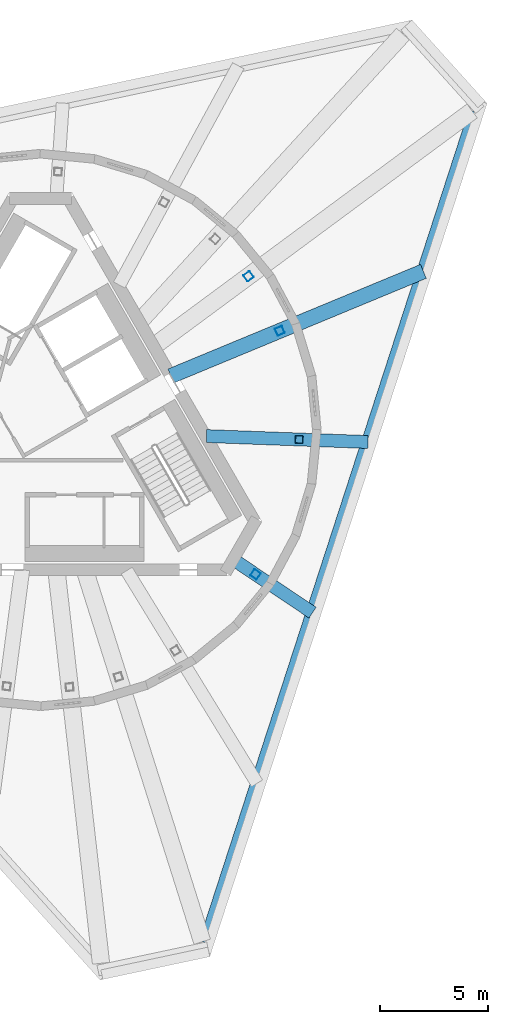
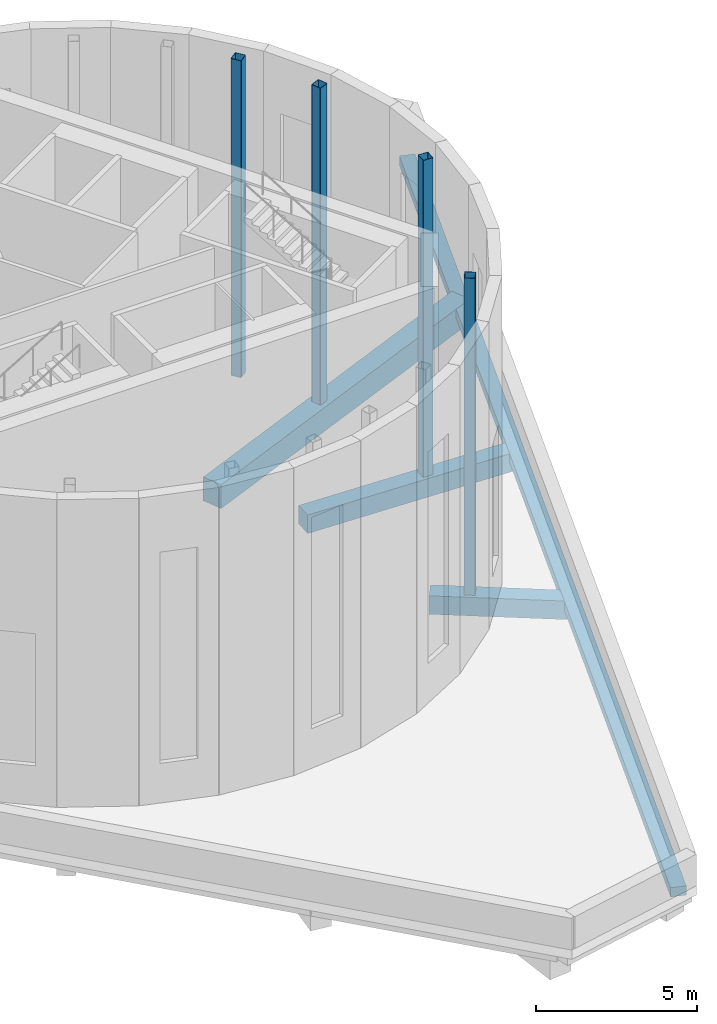
# One storey, part 3 of 9: 4 beams, 4 members.
"""IFC4 building model written with IfcOpenShell, lengths in metres."""

from ifc_helpers import new_model, si_unit, direction, frame, origin, origin_2d, place, context, subcontext, project, spatial, rectangle, hollow_rectangle, extrude, material, material_profile, profile_set, type_object, element, save


model = new_model("IFC4")

# Units and contexts
model_context = context("Model", 3, precision=1e-05, world=origin(), true_north=direction((0.0, 1.0)))
body_context = subcontext(model_context, "Body", "Model", "MODEL_VIEW")
ifc_project = project(units=[si_unit("LENGTHUNIT", "METRE"), si_unit("AREAUNIT", "SQUARE_METRE"), si_unit("VOLUMEUNIT", "CUBIC_METRE"), si_unit("PLANEANGLEUNIT", "RADIAN"), si_unit("MASSUNIT", "GRAM", prefix="KILO")], contexts=[model_context])

# Site, building, storey
site_placement = place(None, origin())
site = spatial("IfcSite", under=ifc_project, at=site_placement, CompositionType="ELEMENT")
building_placement = place(site_placement, origin())
building = spatial("IfcBuilding", under=site, at=building_placement, Name="Tramontana Tower", CompositionType="ELEMENT")
storey_placement = place(building_placement, frame((0.0, 0.0, 380.89990234375)))
storey = spatial("IfcBuildingStorey", under=building, at=storey_placement, Name="Crown", CompositionType="ELEMENT", Elevation=380.89990234375)

# Members
ifc_material_1 = material(Name="Steel ASTM A500 Grade C", Category="steel")
ifc_material_profile_1 = material_profile(ifc_material_1, hollow_rectangle(XDim=0.355712890625, YDim=0.355712890625, WallThickness=0.01171875, InnerFilletRadius=0.01171875, OuterFilletRadius=0.023681640625, at=origin_2d()), Name="HSS14X14X1/2")
ifc_profile_set_1 = profile_set([ifc_material_profile_1], Name="Steel ASTM A500 Grade C")
member_type = type_object("IfcMemberType", Name="Drum HSS14X14X1/2 post", PredefinedType="POST", material=ifc_profile_set_1)
for number, where, z_axis, x_axis, name in (
    (1, (9.959716796875, -6.69091796875, -0.349853515625), (0.0, 0.0, 1.0), (0.83008286049, -0.557640067356, 0.0), "Drum post 08"),
    (2, (11.978271484375, -0.440673828125, -0.349853515625), (0.0, 0.0, 1.0), (0.999323748555, -0.036770172341, 0.0), "Drum post 09"),
    (3, (11.086181640625, 4.5927734375, -0.349853515625), (0.0, 0.0, 1.0), (0.923861530097, 0.382726891147, 0.0), "Drum post 10"),
    (4, (9.638671875, 7.1240234375, -0.349853515625), (0.0, 0.0, 1.0), (0.804183798955, 0.594380700812, 0.0), "Drum post 11"),
):
    element("IfcMember", number, at=place(storey_placement, frame(where, z_axis=z_axis, x_axis=x_axis)), inside=storey, type_object=member_type, Name=name, PredefinedType="POST", context=body_context, shape_type="SweptSolid", body=[
        extrude(hollow_rectangle(XDim=0.355712890625, YDim=0.355712890625, WallThickness=0.01171875, InnerFilletRadius=0.01171875, OuterFilletRadius=0.023681640625, at=origin_2d()), origin(), (0.0, 0.0, 1.0), 12.0),
    ])

# Beams
ifc_material_2 = material(Name="Concrete 40 MPa", Category="concrete")
ifc_material_profile_2 = material_profile(ifc_material_2, rectangle(XDim=0.5, YDim=0.35009765625, at=origin_2d()), Name="RC EDGE BEAM 500X350 40 MPa")
ifc_profile_set_2 = profile_set([ifc_material_profile_2], Name="Concrete 40 MPa")
beam_type_1 = type_object("IfcBeamType", Name="RC EDGE BEAM 500X350 40 MPa", PredefinedType="SPANDREL", material=ifc_profile_set_2)
beam_1_placement = place(storey_placement, frame((7.5849609375, -23.740478515625, -0.52490234375), z_axis=(0.309021003975, 0.951055213488, 0.0), x_axis=(-0.951055213488, 0.309021003975, 0.0)))
element("IfcBeam", 5, at=beam_1_placement, inside=storey, type_object=beam_type_1, Name="Spandrel beam S1 Crown", PredefinedType="SPANDREL", context=body_context, shape_type="SweptSolid", body=[
    extrude(rectangle(XDim=0.5, YDim=0.35009765625, at=origin_2d()), origin(), (0.0, 0.0, 1.0), 40.46923828125),
])
ifc_material_3 = material(Name="Concrete 40 MPa", Category="concrete")
ifc_material_profile_3 = material_profile(ifc_material_3, rectangle(XDim=0.60009765625, YDim=0.699951171875, at=origin_2d()), Name="RC GIRDER 600X700 40 MPa")
ifc_profile_set_3 = profile_set([ifc_material_profile_3], Name="Concrete 40 MPa")
beam_type_2 = type_object("IfcBeamType", Name="RC GIRDER 600X700 40 MPa", PredefinedType="BEAM", material=ifc_profile_set_3)
beam_2_placement = place(storey_placement, frame((12.600830078125, -8.465087890625, -0.699951171875), z_axis=(-0.830077902204, 0.557647448011, 0.0), x_axis=(-0.557647448011, -0.830077902204, 0.0)))
element("IfcBeam", 6, at=beam_2_placement, inside=storey, type_object=beam_type_2, Name="Radial girder C8F06 Crown", PredefinedType="BEAM", context=body_context, shape_type="SweptSolid", body=[
    extrude(rectangle(XDim=0.60009765625, YDim=0.699951171875, at=origin_2d()), origin(), (0.0, 0.0, 1.0), 4.4296875),
])
beam_3_placement = place(storey_placement, frame((15.169921875, -0.55810546875, -0.699951171875), z_axis=(-0.999324360611, 0.036753534393, 0.0), x_axis=(-0.036753534393, -0.999324360611, 0.0)))
element("IfcBeam", 7, at=beam_3_placement, inside=storey, type_object=beam_type_2, Name="Radial girder C8F07 Crown", PredefinedType="BEAM", context=body_context, shape_type="SweptSolid", body=[
    extrude(rectangle(XDim=0.60009765625, YDim=0.699951171875, at=origin_2d()), origin(), (0.0, 0.0, 1.0), 7.486328125),
])
ifc_material_4 = material(Name="Concrete 40 MPa", Category="concrete")
ifc_material_profile_4 = material_profile(ifc_material_4, rectangle(XDim=0.699951171875, YDim=0.89990234375, at=origin_2d()), Name="RC GIRDER 700X900 40 MPa")
ifc_profile_set_4 = profile_set([ifc_material_profile_4], Name="Concrete 40 MPa")
beam_type_3 = type_object("IfcBeamType", Name="RC GIRDER 700X900 40 MPa", PredefinedType="BEAM", material=ifc_profile_set_4)
beam_4_placement = place(storey_placement, frame((17.739013671875, 7.348876953125, -0.7998046875), z_axis=(-0.923857326556, -0.382737037885, 0.0), x_axis=(0.382737037885, -0.923857326556, 0.0)))
element("IfcBeam", 8, at=beam_4_placement, inside=storey, type_object=beam_type_3, Name="Radial girder C8F08 Crown", PredefinedType="BEAM", context=body_context, shape_type="SweptSolid", body=[
    extrude(rectangle(XDim=0.699951171875, YDim=0.89990234375, at=origin_2d()), origin(), (0.0, 0.0, 1.0), 12.667724609375),
])

save(model, "model.ifc")
